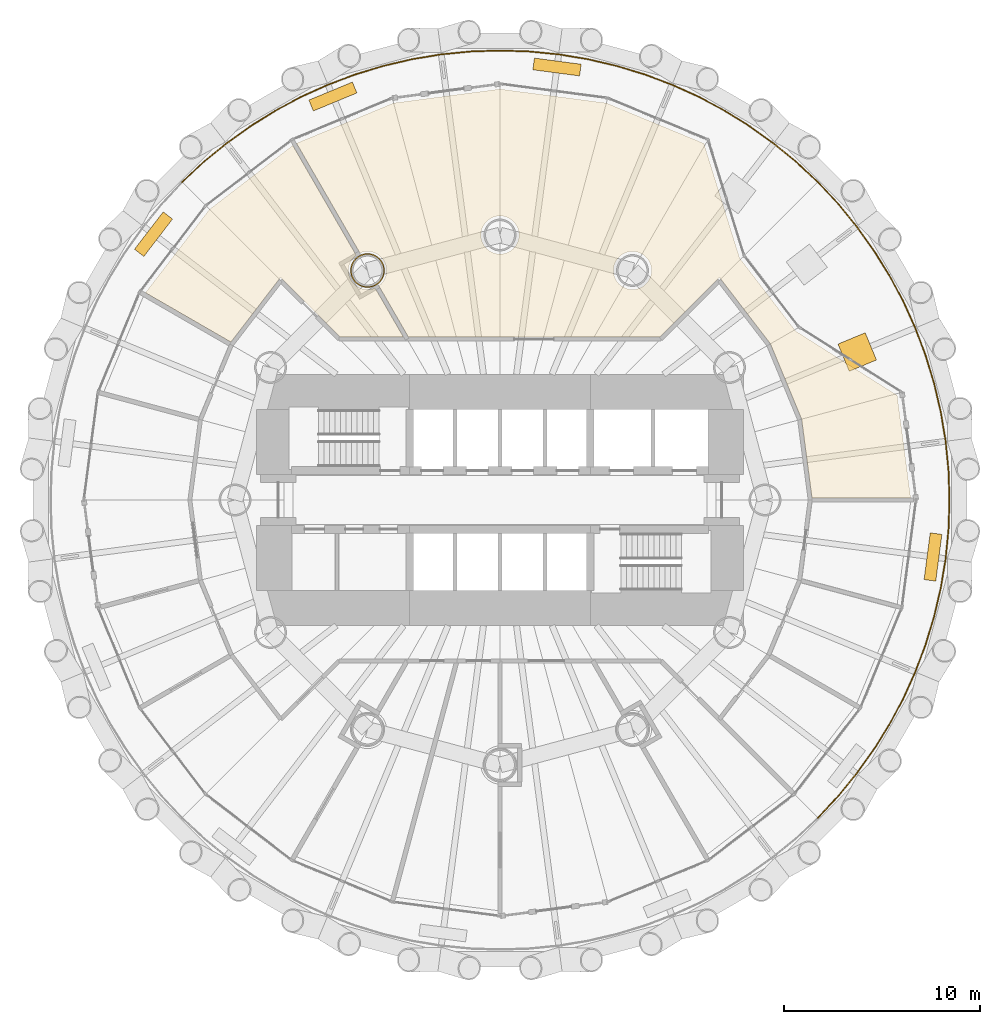
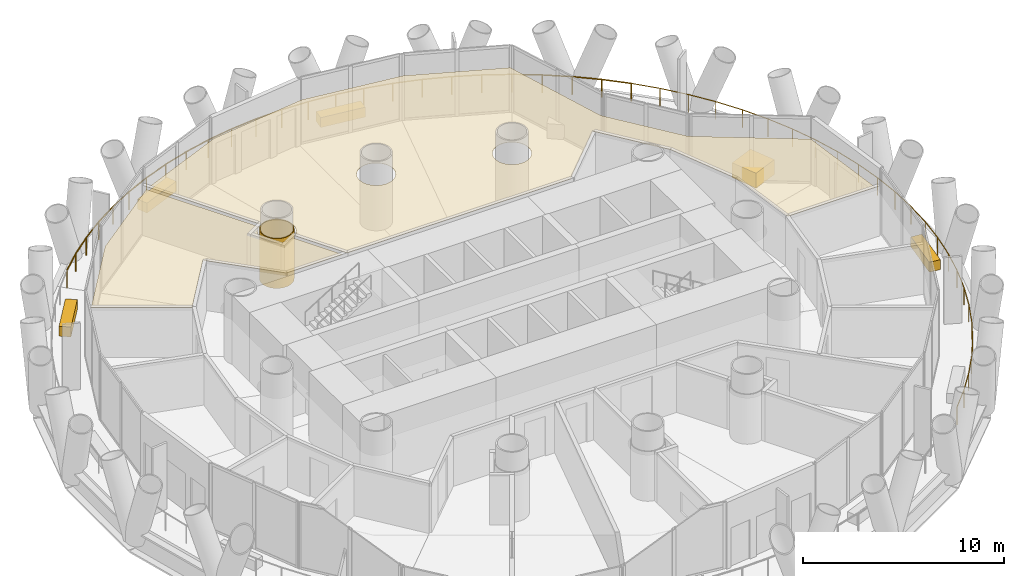
# One storey, part 14 of 15: 8 coverings, 2 railings.
"""IFC4 building model written with IfcOpenShell, lengths in metres."""

from ifc_helpers import new_model, si_unit, direction, frame, origin, origin_2d, place, context, subcontext, project, spatial, polyline, rectangle, circle, outline, extrude, material, layer, layer_set, type_object, element, save


model = new_model("IFC4")

# Units and contexts
model_context = context("Model", 3, precision=1e-05, world=origin(), true_north=direction((0.0, 1.0)))
body_context = subcontext(model_context, "Body", "Model", "MODEL_VIEW")
ifc_project = project(units=[si_unit("LENGTHUNIT", "METRE"), si_unit("AREAUNIT", "SQUARE_METRE"), si_unit("VOLUMEUNIT", "CUBIC_METRE"), si_unit("PLANEANGLEUNIT", "RADIAN"), si_unit("MASSUNIT", "GRAM", prefix="KILO")], contexts=[model_context])

# Site, building, storey
site_placement = place(None, origin())
site = spatial("IfcSite", under=ifc_project, at=site_placement, CompositionType="ELEMENT")
building_placement = place(site_placement, origin())
building = spatial("IfcBuilding", under=site, at=building_placement, Name="Qaws Media Tower", CompositionType="ELEMENT")
storey_placement = place(building_placement, frame((0.0, 0.0, 34.39990234375)))
storey = spatial("IfcBuildingStorey", under=building, at=storey_placement, Name="L06", CompositionType="ELEMENT", Elevation=34.39990234375)

# Railings
ifc_material_1 = material(Name="Stainless steel and glass guard", Category="steel")
railing_type = type_object("IfcRailingType", Name="Balcony guard 1100", PredefinedType="GUARDRAIL", material=ifc_material_1)
railing_1_placement = place(storey_placement, frame((76.192626953125, 66.192626953125, 0.0)))
element("IfcRailing", 1, at=railing_1_placement, inside=storey, type_object=railing_type, Name="GR1 balcony guard L06-1", PredefinedType="GUARDRAIL", context=body_context, shape_type="SweptSolid", body=[
    extrude(circle(Radius=0.02392578125, at=origin_2d()), frame((0.0, 0.0, 1.076171875), z_axis=(-0.729786131412, 0.683675509579, 0.0), x_axis=(-0.683675509579, -0.729786131412, 0.0)), (0.0, 0.0, 1.0), 1.498291015625),
    extrude(circle(Radius=0.02392578125, at=origin_2d()), frame((-1.093505859375, 1.0244140625, 1.076171875), z_axis=(-0.773020109112, 0.634381518416, 0.0), x_axis=(-0.634381518416, -0.773020109112, 0.0)), (0.0, 0.0, 1.0), 1.49853515625),
    extrude(circle(Radius=0.02392578125, at=origin_2d()), frame((-2.251953125, 1.97509765625, 1.076171875), z_axis=(-0.812774700378, 0.582578137613, 0.0), x_axis=(-0.582578137613, -0.812774700378, 0.0)), (0.0, 0.0, 1.0), 1.49853515625),
    extrude(circle(Radius=0.02392578125, at=origin_2d()), frame((-3.469970703125, 2.84814453125, 1.076171875), z_axis=(-0.84924978873, 0.527991284342, 0.0), x_axis=(-0.527991284342, -0.84924978873, 0.0)), (0.0, 0.0, 1.0), 1.49853515625),
    extrude(circle(Radius=0.02392578125, at=origin_2d()), frame((-4.74267578125, 3.639404296875, 1.076171875), z_axis=(-0.881942178876, 0.471357606408, 0.0), x_axis=(-0.471357606408, -0.881942178876, 0.0)), (0.0, 0.0, 1.0), 1.49853515625),
    extrude(circle(Radius=0.02392578125, at=origin_2d()), frame((-6.064208984375, 4.345703125, 1.076171875), z_axis=(-0.910879082902, 0.412673353066, 0.0), x_axis=(-0.412673353066, -0.910879082902, 0.0)), (0.0, 0.0, 1.0), 1.49853515625),
    extrude(circle(Radius=0.02392578125, at=origin_2d()), frame((-7.42919921875, 4.964111328125, 1.076171875), z_axis=(-0.935846213022, 0.352408662738, 0.0), x_axis=(-0.352408662738, -0.935846213022, 0.0)), (0.0, 0.0, 1.0), 1.49853515625),
    extrude(circle(Radius=0.02392578125, at=origin_2d()), frame((-8.83154296875, 5.4921875, 1.076171875), z_axis=(-0.956979175917, 0.290156607475, 0.0), x_axis=(-0.290156607475, -0.956979175917, 0.0)), (0.0, 0.0, 1.0), 1.49853515625),
    extrude(circle(Radius=0.02392578125, at=origin_2d()), frame((-10.265625, 5.927001953125, 1.076171875), z_axis=(-0.973872443437, 0.227095715315, 0.0), x_axis=(-0.227095715315, -0.973872443437, 0.0)), (0.0, 0.0, 1.0), 1.49853515625),
    extrude(circle(Radius=0.02392578125, at=origin_2d()), frame((-11.72509765625, 6.267333984375, 1.076171875), z_axis=(-0.98663939489, 0.162919318839, 0.0), x_axis=(-0.162919318839, -0.98663939489, 0.0)), (0.0, 0.0, 1.0), 1.49853515625),
    extrude(circle(Radius=0.02392578125, at=origin_2d()), frame((-13.20361328125, 6.511474609375, 1.076171875), z_axis=(-0.995178136619, 0.098084027218, 0.0), x_axis=(-0.098084027218, -0.995178136619, 0.0)), (0.0, 0.0, 1.0), 1.49853515625),
    extrude(circle(Radius=0.02392578125, at=origin_2d()), frame((-14.69482421875, 6.658447265625, 1.076171875), z_axis=(-0.999469048478, 0.032582528068, 0.0), x_axis=(-0.032582528068, -0.999469048478, 0.0)), (0.0, 0.0, 1.0), 1.49853515625),
    extrude(circle(Radius=0.02392578125, at=origin_2d()), frame((-16.192626953125, 6.707275390625, 1.076171875), z_axis=(-0.999469048478, -0.032582528068, 0.0), x_axis=(0.032582528068, -0.999469048478, 0.0)), (0.0, 0.0, 1.0), 1.49853515625),
    extrude(circle(Radius=0.02392578125, at=origin_2d()), frame((-17.6904296875, 6.658447265625, 1.076171875), z_axis=(-0.995178136619, -0.098084027218, 0.0), x_axis=(0.098084027218, -0.995178136619, 0.0)), (0.0, 0.0, 1.0), 1.49853515625),
    extrude(circle(Radius=0.02392578125, at=origin_2d()), frame((-19.181640625, 6.511474609375, 1.076171875), z_axis=(-0.98663939489, -0.162919318839, 0.0), x_axis=(0.162919318839, -0.98663939489, 0.0)), (0.0, 0.0, 1.0), 1.49853515625),
    extrude(circle(Radius=0.02392578125, at=origin_2d()), frame((-20.66015625, 6.267333984375, 1.076171875), z_axis=(-0.973872443437, -0.227095715315, 0.0), x_axis=(0.227095715315, -0.973872443437, 0.0)), (0.0, 0.0, 1.0), 1.49853515625),
    extrude(circle(Radius=0.02392578125, at=origin_2d()), frame((-22.11962890625, 5.927001953125, 1.076171875), z_axis=(-0.956979175917, -0.290156607475, 0.0), x_axis=(0.290156607475, -0.956979175917, 0.0)), (0.0, 0.0, 1.0), 1.49853515625),
    extrude(circle(Radius=0.02392578125, at=origin_2d()), frame((-23.5537109375, 5.4921875, 1.076171875), z_axis=(-0.935846213022, -0.352408662738, 0.0), x_axis=(0.352408662738, -0.935846213022, 0.0)), (0.0, 0.0, 1.0), 1.49853515625),
    extrude(circle(Radius=0.02392578125, at=origin_2d()), frame((-24.9560546875, 4.964111328125, 1.076171875), z_axis=(-0.910879082902, -0.412673353066, 0.0), x_axis=(0.412673353066, -0.910879082902, 0.0)), (0.0, 0.0, 1.0), 1.49853515625),
    extrude(circle(Radius=0.02392578125, at=origin_2d()), frame((-26.321044921875, 4.345703125, 1.076171875), z_axis=(-0.881942178876, -0.471357606408, 0.0), x_axis=(0.471357606408, -0.881942178876, 0.0)), (0.0, 0.0, 1.0), 1.49853515625),
    extrude(circle(Radius=0.02392578125, at=origin_2d()), frame((-27.642578125, 3.639404296875, 1.076171875), z_axis=(-0.84924978873, -0.527991284342, 0.0), x_axis=(0.527991284342, -0.84924978873, 0.0)), (0.0, 0.0, 1.0), 1.49853515625),
    extrude(circle(Radius=0.02392578125, at=origin_2d()), frame((-28.915283203125, 2.84814453125, 1.076171875), z_axis=(-0.812774700378, -0.582578137613, 0.0), x_axis=(0.582578137613, -0.812774700378, 0.0)), (0.0, 0.0, 1.0), 1.49853515625),
    extrude(circle(Radius=0.02392578125, at=origin_2d()), frame((-30.13330078125, 1.97509765625, 1.076171875), z_axis=(-0.773020109112, -0.634381518416, 0.0), x_axis=(0.634381518416, -0.773020109112, 0.0)), (0.0, 0.0, 1.0), 1.49853515625),
    extrude(circle(Radius=0.02392578125, at=origin_2d()), frame((-31.291748046875, 1.0244140625, 1.076171875), z_axis=(-0.729786131412, -0.683675509579, 0.0), x_axis=(0.683675509579, -0.729786131412, 0.0)), (0.0, 0.0, 1.0), 1.498291015625),
    extrude(circle(Radius=0.02099609375, at=origin_2d()), origin(), (0.0, 0.0, 1.0), 1.052001953125),
    extrude(circle(Radius=0.02099609375, at=origin_2d()), frame((-1.093505859375, 1.0244140625, 0.0)), (0.0, 0.0, 1.0), 1.052001953125),
    extrude(circle(Radius=0.02099609375, at=origin_2d()), frame((-2.251953125, 1.97509765625, 0.0)), (0.0, 0.0, 1.0), 1.052001953125),
    extrude(circle(Radius=0.02099609375, at=origin_2d()), frame((-3.469970703125, 2.84814453125, 0.0)), (0.0, 0.0, 1.0), 1.052001953125),
    extrude(circle(Radius=0.02099609375, at=origin_2d()), frame((-4.74267578125, 3.639404296875, 0.0)), (0.0, 0.0, 1.0), 1.052001953125),
    extrude(circle(Radius=0.02099609375, at=origin_2d()), frame((-6.064208984375, 4.345703125, 0.0)), (0.0, 0.0, 1.0), 1.052001953125),
    extrude(circle(Radius=0.02099609375, at=origin_2d()), frame((-7.42919921875, 4.964111328125, 0.0)), (0.0, 0.0, 1.0), 1.052001953125),
    extrude(circle(Radius=0.02099609375, at=origin_2d()), frame((-8.83154296875, 5.4921875, 0.0)), (0.0, 0.0, 1.0), 1.052001953125),
    extrude(circle(Radius=0.02099609375, at=origin_2d()), frame((-10.265625, 5.927001953125, 0.0)), (0.0, 0.0, 1.0), 1.052001953125),
    extrude(circle(Radius=0.02099609375, at=origin_2d()), frame((-11.72509765625, 6.267333984375, 0.0)), (0.0, 0.0, 1.0), 1.052001953125),
    extrude(circle(Radius=0.02099609375, at=origin_2d()), frame((-13.20361328125, 6.511474609375, 0.0)), (0.0, 0.0, 1.0), 1.052001953125),
    extrude(circle(Radius=0.02099609375, at=origin_2d()), frame((-14.69482421875, 6.658447265625, 0.0)), (0.0, 0.0, 1.0), 1.052001953125),
    extrude(circle(Radius=0.02099609375, at=origin_2d()), frame((-16.192626953125, 6.707275390625, 0.0)), (0.0, 0.0, 1.0), 1.052001953125),
    extrude(circle(Radius=0.02099609375, at=origin_2d()), frame((-17.6904296875, 6.658447265625, 0.0)), (0.0, 0.0, 1.0), 1.052001953125),
    extrude(circle(Radius=0.02099609375, at=origin_2d()), frame((-19.181640625, 6.511474609375, 0.0)), (0.0, 0.0, 1.0), 1.052001953125),
    extrude(circle(Radius=0.02099609375, at=origin_2d()), frame((-20.66015625, 6.267333984375, 0.0)), (0.0, 0.0, 1.0), 1.052001953125),
    extrude(circle(Radius=0.02099609375, at=origin_2d()), frame((-22.11962890625, 5.927001953125, 0.0)), (0.0, 0.0, 1.0), 1.052001953125),
    extrude(circle(Radius=0.02099609375, at=origin_2d()), frame((-23.5537109375, 5.4921875, 0.0)), (0.0, 0.0, 1.0), 1.052001953125),
    extrude(circle(Radius=0.02099609375, at=origin_2d()), frame((-24.9560546875, 4.964111328125, 0.0)), (0.0, 0.0, 1.0), 1.052001953125),
    extrude(circle(Radius=0.02099609375, at=origin_2d()), frame((-26.321044921875, 4.345703125, 0.0)), (0.0, 0.0, 1.0), 1.052001953125),
    extrude(circle(Radius=0.02099609375, at=origin_2d()), frame((-27.642578125, 3.639404296875, 0.0)), (0.0, 0.0, 1.0), 1.052001953125),
    extrude(circle(Radius=0.02099609375, at=origin_2d()), frame((-28.915283203125, 2.84814453125, 0.0)), (0.0, 0.0, 1.0), 1.052001953125),
    extrude(circle(Radius=0.02099609375, at=origin_2d()), frame((-30.13330078125, 1.97509765625, 0.0)), (0.0, 0.0, 1.0), 1.052001953125),
    extrude(circle(Radius=0.02099609375, at=origin_2d()), frame((-31.291748046875, 1.0244140625, 0.0)), (0.0, 0.0, 1.0), 1.052001953125),
    extrude(circle(Radius=0.02099609375, at=origin_2d()), frame((-32.38525390625, 0.0, 0.0)), (0.0, 0.0, 1.0), 1.052001953125),
])
railing_2_placement = place(storey_placement, frame((76.192626953125, 33.807373046875, 0.0)))
element("IfcRailing", 2, at=railing_2_placement, inside=storey, type_object=railing_type, Name="GR1 balcony guard L06-4", PredefinedType="GUARDRAIL", context=body_context, shape_type="SweptSolid", body=[
    extrude(circle(Radius=0.02392578125, at=origin_2d()), frame((0.0, 0.0, 1.076171875), z_axis=(0.683675509579, 0.729786131412, 0.0), x_axis=(-0.729786131412, 0.683675509579, 0.0)), (0.0, 0.0, 1.0), 1.498291015625),
    extrude(circle(Radius=0.02392578125, at=origin_2d()), frame((1.0244140625, 1.093505859375, 1.076171875), z_axis=(0.634381518416, 0.773020109112, 0.0), x_axis=(-0.773020109112, 0.634381518416, 0.0)), (0.0, 0.0, 1.0), 1.49853515625),
    extrude(circle(Radius=0.02392578125, at=origin_2d()), frame((1.97509765625, 2.251953125, 1.076171875), z_axis=(0.582578137613, 0.812774700378, 0.0), x_axis=(-0.812774700378, 0.582578137613, 0.0)), (0.0, 0.0, 1.0), 1.49853515625),
    extrude(circle(Radius=0.02392578125, at=origin_2d()), frame((2.84814453125, 3.469970703125, 1.076171875), z_axis=(0.527991284342, 0.84924978873, 0.0), x_axis=(-0.84924978873, 0.527991284342, 0.0)), (0.0, 0.0, 1.0), 1.49853515625),
    extrude(circle(Radius=0.02392578125, at=origin_2d()), frame((3.639404296875, 4.74267578125, 1.076171875), z_axis=(0.471357606408, 0.881942178876, 0.0), x_axis=(-0.881942178876, 0.471357606408, 0.0)), (0.0, 0.0, 1.0), 1.49853515625),
    extrude(circle(Radius=0.02392578125, at=origin_2d()), frame((4.345703125, 6.064208984375, 1.076171875), z_axis=(0.412673353066, 0.910879082902, 0.0), x_axis=(-0.910879082902, 0.412673353066, 0.0)), (0.0, 0.0, 1.0), 1.49853515625),
    extrude(circle(Radius=0.02392578125, at=origin_2d()), frame((4.964111328125, 7.42919921875, 1.076171875), z_axis=(0.352408662738, 0.935846213022, 0.0), x_axis=(-0.935846213022, 0.352408662738, 0.0)), (0.0, 0.0, 1.0), 1.49853515625),
    extrude(circle(Radius=0.02392578125, at=origin_2d()), frame((5.4921875, 8.83154296875, 1.076171875), z_axis=(0.290156607475, 0.956979175917, 0.0), x_axis=(-0.956979175917, 0.290156607475, 0.0)), (0.0, 0.0, 1.0), 1.49853515625),
    extrude(circle(Radius=0.02392578125, at=origin_2d()), frame((5.927001953125, 10.265625, 1.076171875), z_axis=(0.227095715315, 0.973872443437, 0.0), x_axis=(-0.973872443437, 0.227095715315, 0.0)), (0.0, 0.0, 1.0), 1.49853515625),
    extrude(circle(Radius=0.02392578125, at=origin_2d()), frame((6.267333984375, 11.72509765625, 1.076171875), z_axis=(0.162919318839, 0.98663939489, 0.0), x_axis=(-0.98663939489, 0.162919318839, 0.0)), (0.0, 0.0, 1.0), 1.49853515625),
    extrude(circle(Radius=0.02392578125, at=origin_2d()), frame((6.511474609375, 13.20361328125, 1.076171875), z_axis=(0.098084027218, 0.995178136619, 0.0), x_axis=(-0.995178136619, 0.098084027218, 0.0)), (0.0, 0.0, 1.0), 1.49853515625),
    extrude(circle(Radius=0.02392578125, at=origin_2d()), frame((6.658447265625, 14.69482421875, 1.076171875), z_axis=(0.032582528068, 0.999469048478, 0.0), x_axis=(-0.999469048478, 0.032582528068, 0.0)), (0.0, 0.0, 1.0), 1.49853515625),
    extrude(circle(Radius=0.02392578125, at=origin_2d()), frame((6.707275390625, 16.192626953125, 1.076171875), z_axis=(-0.032582528068, 0.999469048478, 0.0), x_axis=(-0.999469048478, -0.032582528068, 0.0)), (0.0, 0.0, 1.0), 1.49853515625),
    extrude(circle(Radius=0.02392578125, at=origin_2d()), frame((6.658447265625, 17.6904296875, 1.076171875), z_axis=(-0.098084027218, 0.995178136619, 0.0), x_axis=(-0.995178136619, -0.098084027218, 0.0)), (0.0, 0.0, 1.0), 1.49853515625),
    extrude(circle(Radius=0.02392578125, at=origin_2d()), frame((6.511474609375, 19.181640625, 1.076171875), z_axis=(-0.162919318839, 0.98663939489, 0.0), x_axis=(-0.98663939489, -0.162919318839, 0.0)), (0.0, 0.0, 1.0), 1.49853515625),
    extrude(circle(Radius=0.02392578125, at=origin_2d()), frame((6.267333984375, 20.66015625, 1.076171875), z_axis=(-0.227095715315, 0.973872443437, 0.0), x_axis=(-0.973872443437, -0.227095715315, 0.0)), (0.0, 0.0, 1.0), 1.49853515625),
    extrude(circle(Radius=0.02392578125, at=origin_2d()), frame((5.927001953125, 22.11962890625, 1.076171875), z_axis=(-0.290156607475, 0.956979175917, 0.0), x_axis=(-0.956979175917, -0.290156607475, 0.0)), (0.0, 0.0, 1.0), 1.49853515625),
    extrude(circle(Radius=0.02392578125, at=origin_2d()), frame((5.4921875, 23.5537109375, 1.076171875), z_axis=(-0.352408662738, 0.935846213022, 0.0), x_axis=(-0.935846213022, -0.352408662738, 0.0)), (0.0, 0.0, 1.0), 1.49853515625),
    extrude(circle(Radius=0.02392578125, at=origin_2d()), frame((4.964111328125, 24.9560546875, 1.076171875), z_axis=(-0.412673353066, 0.910879082902, 0.0), x_axis=(-0.910879082902, -0.412673353066, 0.0)), (0.0, 0.0, 1.0), 1.49853515625),
    extrude(circle(Radius=0.02392578125, at=origin_2d()), frame((4.345703125, 26.321044921875, 1.076171875), z_axis=(-0.471357606408, 0.881942178876, 0.0), x_axis=(-0.881942178876, -0.471357606408, 0.0)), (0.0, 0.0, 1.0), 1.49853515625),
    extrude(circle(Radius=0.02392578125, at=origin_2d()), frame((3.639404296875, 27.642578125, 1.076171875), z_axis=(-0.527991284342, 0.84924978873, 0.0), x_axis=(-0.84924978873, -0.527991284342, 0.0)), (0.0, 0.0, 1.0), 1.49853515625),
    extrude(circle(Radius=0.02392578125, at=origin_2d()), frame((2.84814453125, 28.915283203125, 1.076171875), z_axis=(-0.582578137613, 0.812774700378, 0.0), x_axis=(-0.812774700378, -0.582578137613, 0.0)), (0.0, 0.0, 1.0), 1.49853515625),
    extrude(circle(Radius=0.02392578125, at=origin_2d()), frame((1.97509765625, 30.13330078125, 1.076171875), z_axis=(-0.634381518416, 0.773020109112, 0.0), x_axis=(-0.773020109112, -0.634381518416, 0.0)), (0.0, 0.0, 1.0), 1.49853515625),
    extrude(circle(Radius=0.02392578125, at=origin_2d()), frame((1.0244140625, 31.291748046875, 1.076171875), z_axis=(-0.683675509579, 0.729786131412, 0.0), x_axis=(-0.729786131412, -0.683675509579, 0.0)), (0.0, 0.0, 1.0), 1.498291015625),
    extrude(circle(Radius=0.02099609375, at=origin_2d()), origin(), (0.0, 0.0, 1.0), 1.052001953125),
    extrude(circle(Radius=0.02099609375, at=origin_2d()), frame((1.0244140625, 1.093505859375, 0.0)), (0.0, 0.0, 1.0), 1.052001953125),
    extrude(circle(Radius=0.02099609375, at=origin_2d()), frame((1.97509765625, 2.251953125, 0.0)), (0.0, 0.0, 1.0), 1.052001953125),
    extrude(circle(Radius=0.02099609375, at=origin_2d()), frame((2.84814453125, 3.469970703125, 0.0)), (0.0, 0.0, 1.0), 1.052001953125),
    extrude(circle(Radius=0.02099609375, at=origin_2d()), frame((3.639404296875, 4.74267578125, 0.0)), (0.0, 0.0, 1.0), 1.052001953125),
    extrude(circle(Radius=0.02099609375, at=origin_2d()), frame((4.345703125, 6.064208984375, 0.0)), (0.0, 0.0, 1.0), 1.052001953125),
    extrude(circle(Radius=0.02099609375, at=origin_2d()), frame((4.964111328125, 7.42919921875, 0.0)), (0.0, 0.0, 1.0), 1.052001953125),
    extrude(circle(Radius=0.02099609375, at=origin_2d()), frame((5.4921875, 8.83154296875, 0.0)), (0.0, 0.0, 1.0), 1.052001953125),
    extrude(circle(Radius=0.02099609375, at=origin_2d()), frame((5.927001953125, 10.265625, 0.0)), (0.0, 0.0, 1.0), 1.052001953125),
    extrude(circle(Radius=0.02099609375, at=origin_2d()), frame((6.267333984375, 11.72509765625, 0.0)), (0.0, 0.0, 1.0), 1.052001953125),
    extrude(circle(Radius=0.02099609375, at=origin_2d()), frame((6.511474609375, 13.20361328125, 0.0)), (0.0, 0.0, 1.0), 1.052001953125),
    extrude(circle(Radius=0.02099609375, at=origin_2d()), frame((6.658447265625, 14.69482421875, 0.0)), (0.0, 0.0, 1.0), 1.052001953125),
    extrude(circle(Radius=0.02099609375, at=origin_2d()), frame((6.707275390625, 16.192626953125, 0.0)), (0.0, 0.0, 1.0), 1.052001953125),
    extrude(circle(Radius=0.02099609375, at=origin_2d()), frame((6.658447265625, 17.6904296875, 0.0)), (0.0, 0.0, 1.0), 1.052001953125),
    extrude(circle(Radius=0.02099609375, at=origin_2d()), frame((6.511474609375, 19.181640625, 0.0)), (0.0, 0.0, 1.0), 1.052001953125),
    extrude(circle(Radius=0.02099609375, at=origin_2d()), frame((6.267333984375, 20.66015625, 0.0)), (0.0, 0.0, 1.0), 1.052001953125),
    extrude(circle(Radius=0.02099609375, at=origin_2d()), frame((5.927001953125, 22.11962890625, 0.0)), (0.0, 0.0, 1.0), 1.052001953125),
    extrude(circle(Radius=0.02099609375, at=origin_2d()), frame((5.4921875, 23.5537109375, 0.0)), (0.0, 0.0, 1.0), 1.052001953125),
    extrude(circle(Radius=0.02099609375, at=origin_2d()), frame((4.964111328125, 24.9560546875, 0.0)), (0.0, 0.0, 1.0), 1.052001953125),
    extrude(circle(Radius=0.02099609375, at=origin_2d()), frame((4.345703125, 26.321044921875, 0.0)), (0.0, 0.0, 1.0), 1.052001953125),
    extrude(circle(Radius=0.02099609375, at=origin_2d()), frame((3.639404296875, 27.642578125, 0.0)), (0.0, 0.0, 1.0), 1.052001953125),
    extrude(circle(Radius=0.02099609375, at=origin_2d()), frame((2.84814453125, 28.915283203125, 0.0)), (0.0, 0.0, 1.0), 1.052001953125),
    extrude(circle(Radius=0.02099609375, at=origin_2d()), frame((1.97509765625, 30.13330078125, 0.0)), (0.0, 0.0, 1.0), 1.052001953125),
    extrude(circle(Radius=0.02099609375, at=origin_2d()), frame((1.0244140625, 31.291748046875, 0.0)), (0.0, 0.0, 1.0), 1.052001953125),
    extrude(circle(Radius=0.02099609375, at=origin_2d()), frame((0.0, 32.38525390625, 0.0)), (0.0, 0.0, 1.0), 1.052001953125),
])

# Coverings
ifc_material_2 = material(Name="Two layers 15 fire-rated gypsum board on steel framing", Category="steel")
ifc_layer_1 = layer(ifc_material_2, 0.050048828125)
ifc_layer_set_1 = layer_set([ifc_layer_1], Name="Column fire casing")
covering_type_1 = type_object("IfcCoveringType", Name="Column fire casing", PredefinedType="CLADDING", material=ifc_layer_set_1)
covering_1_placement = place(storey_placement, origin())
element("IfcCovering", 3, at=covering_1_placement, inside=storey, type_object=covering_type_1, Name="CC1 column casing L06", PredefinedType="CLADDING", context=body_context, shape_type="SweptSolid", body=[
    extrude(outline(polyline([(54.117919921875, 61.69140625), (54.110595703125, 61.577880859375), (54.08837890625, 61.466796875), (54.052001953125, 61.359130859375), (54.001708984375, 61.25732421875), (53.938720703125, 61.162841796875), (53.86376953125, 61.07763671875), (53.7783203125, 61.002685546875), (53.68408203125, 60.939697265625), (53.582275390625, 60.889404296875), (53.474609375, 60.852783203125), (53.36328125, 60.830810546875), (53.25, 60.8232421875), (53.13671875, 60.830810546875), (53.025390625, 60.852783203125), (52.917724609375, 60.889404296875), (52.81591796875, 60.939697265625), (52.7216796875, 61.002685546875), (52.63623046875, 61.07763671875), (52.561279296875, 61.162841796875), (52.498291015625, 61.25732421875), (52.447998046875, 61.359130859375), (52.41162109375, 61.466796875), (52.389404296875, 61.577880859375), (52.382080078125, 61.69140625), (52.389404296875, 61.8046875), (52.41162109375, 61.916015625), (52.447998046875, 62.0234375), (52.498291015625, 62.125244140625), (52.561279296875, 62.2197265625), (52.63623046875, 62.30517578125), (52.7216796875, 62.3798828125), (52.81591796875, 62.443115234375), (52.917724609375, 62.493408203125), (53.025390625, 62.52978515625), (53.13671875, 62.552001953125), (53.25, 62.559326171875), (53.36328125, 62.552001953125), (53.474609375, 62.52978515625), (53.582275390625, 62.493408203125), (53.68408203125, 62.443115234375), (53.7783203125, 62.3798828125), (53.86376953125, 62.30517578125), (53.938720703125, 62.2197265625), (54.001708984375, 62.125244140625), (54.052001953125, 62.0234375), (54.08837890625, 61.916015625), (54.110595703125, 61.8046875), (54.117919921875, 61.69140625)]), holes=[polyline([(54.06591796875, 61.69140625), (54.05908203125, 61.584716796875), (54.0380859375, 61.47998046875), (54.00390625, 61.379150390625), (53.956787109375, 61.283203125), (53.8974609375, 61.194580078125), (53.826904296875, 61.1142578125), (53.74658203125, 61.0439453125), (53.657958984375, 60.984619140625), (53.562255859375, 60.9375), (53.461181640625, 60.903076171875), (53.3564453125, 60.88232421875), (53.25, 60.875244140625), (53.1435546875, 60.88232421875), (53.038818359375, 60.903076171875), (52.937744140625, 60.9375), (52.842041015625, 60.984619140625), (52.75341796875, 61.0439453125), (52.673095703125, 61.1142578125), (52.6025390625, 61.194580078125), (52.543212890625, 61.283203125), (52.49609375, 61.379150390625), (52.4619140625, 61.47998046875), (52.44091796875, 61.584716796875), (52.43408203125, 61.69140625), (52.44091796875, 61.7978515625), (52.4619140625, 61.902587890625), (52.49609375, 62.003662109375), (52.543212890625, 62.099365234375), (52.6025390625, 62.18798828125), (52.673095703125, 62.268310546875), (52.75341796875, 62.338623046875), (52.842041015625, 62.39794921875), (52.937744140625, 62.4453125), (53.038818359375, 62.4794921875), (53.1435546875, 62.50048828125), (53.25, 62.50732421875), (53.3564453125, 62.50048828125), (53.461181640625, 62.4794921875), (53.562255859375, 62.4453125), (53.657958984375, 62.39794921875), (53.74658203125, 62.338623046875), (53.826904296875, 62.268310546875), (53.8974609375, 62.18798828125), (53.956787109375, 62.099365234375), (54.00390625, 62.003662109375), (54.0380859375, 61.902587890625), (54.05908203125, 61.7978515625), (54.06591796875, 61.69140625)])]), origin(), (0.0, 0.0, 1.0), 3.02001953125),
])
ifc_material_3 = material(Name="600 x 600 mineral fibre tiles in exposed grid, suspended", Category="mineral fibre")
ifc_layer_2 = layer(ifc_material_3, 0.02001953125)
ifc_layer_set_2 = layer_set([ifc_layer_2], Name="Mineral fibre tile ceiling 20")
covering_type_2 = type_object("IfcCoveringType", Name="Mineral fibre tile ceiling 20", PredefinedType="CEILING", material=ifc_layer_set_2)
covering_2_placement = place(storey_placement, frame((0.0, 0.0, 2.85009765625)))
element("IfcCovering", 4, at=covering_2_placement, inside=storey, type_object=covering_type_2, Name="CL1 ceiling L06-02 Production office", PredefinedType="CEILING", context=body_context, shape_type="SweptSolid", body=[
    extrude(outline(polyline([(54.58154296875, 70.221923828125), (60.0, 70.935302734375), (65.41845703125, 70.221923828125), (70.385986328125, 68.164306640625), (72.20849609375, 62.322265625), (75.062255859375, 58.603271484375), (80.2333984375, 55.330810546875), (80.92041015625, 50.112548828125), (75.898681640625, 50.112548828125), (75.37109375, 54.11865234375), (73.781494140625, 57.956787109375), (71.183349609375, 61.342529296875), (68.1533203125, 58.3125), (55.330810546875, 58.3125), (53.830322265625, 60.911376953125), (53.84228515625, 60.91943359375), (53.93798828125, 61.00341796875), (54.02197265625, 61.09912109375), (54.092529296875, 61.204833984375), (54.14892578125, 61.319091796875), (54.189697265625, 61.439453125), (54.214599609375, 61.564208984375), (54.222900390625, 61.69140625), (54.214599609375, 61.818359375), (54.189697265625, 61.943115234375), (54.14892578125, 62.063720703125), (54.092529296875, 62.177734375), (54.02197265625, 62.28369140625), (53.93798828125, 62.37939453125), (53.84228515625, 62.46337890625), (53.736572265625, 62.533935546875), (53.622314453125, 62.59033203125), (53.501708984375, 62.631103515625), (53.376953125, 62.656005859375), (53.25, 62.664306640625), (53.123046875, 62.656005859375), (52.998291015625, 62.631103515625), (52.877685546875, 62.59033203125), (52.864501953125, 62.583984375), (49.63720703125, 68.173828125), (54.58154296875, 70.221923828125)]), holes=[polyline([(60.89892578125, 63.127685546875), (60.939697265625, 63.248291015625), (60.964599609375, 63.373046875), (60.972900390625, 63.5), (60.964599609375, 63.626953125), (60.939697265625, 63.751708984375), (60.89892578125, 63.872314453125), (60.842529296875, 63.986572265625), (60.77197265625, 64.09228515625), (60.68798828125, 64.18798828125), (60.59228515625, 64.27197265625), (60.486572265625, 64.342529296875), (60.372314453125, 64.39892578125), (60.251708984375, 64.439697265625), (60.126953125, 64.464599609375), (60.0, 64.472900390625), (59.873046875, 64.464599609375), (59.748291015625, 64.439697265625), (59.627685546875, 64.39892578125), (59.513427734375, 64.342529296875), (59.40771484375, 64.27197265625), (59.31201171875, 64.18798828125), (59.22802734375, 64.09228515625), (59.157470703125, 63.986572265625), (59.10107421875, 63.872314453125), (59.060302734375, 63.751708984375), (59.035400390625, 63.626953125), (59.027099609375, 63.5), (59.035400390625, 63.373046875), (59.060302734375, 63.248291015625), (59.10107421875, 63.127685546875), (59.157470703125, 63.013427734375), (59.22802734375, 62.90771484375), (59.31201171875, 62.81201171875), (59.40771484375, 62.72802734375), (59.513427734375, 62.657470703125), (59.627685546875, 62.60107421875), (59.748291015625, 62.560302734375), (59.873046875, 62.535400390625), (60.0, 62.527099609375), (60.126953125, 62.535400390625), (60.251708984375, 62.560302734375), (60.372314453125, 62.60107421875), (60.486572265625, 62.657470703125), (60.59228515625, 62.72802734375), (60.68798828125, 62.81201171875), (60.77197265625, 62.90771484375), (60.842529296875, 63.013427734375), (60.89892578125, 63.127685546875)]), polyline([(67.64892578125, 61.319091796875), (67.689697265625, 61.439453125), (67.714599609375, 61.564208984375), (67.722900390625, 61.69140625), (67.714599609375, 61.818359375), (67.689697265625, 61.943115234375), (67.64892578125, 62.063720703125), (67.592529296875, 62.177734375), (67.52197265625, 62.28369140625), (67.43798828125, 62.37939453125), (67.34228515625, 62.46337890625), (67.236572265625, 62.533935546875), (67.122314453125, 62.59033203125), (67.001708984375, 62.631103515625), (66.876953125, 62.656005859375), (66.75, 62.664306640625), (66.623046875, 62.656005859375), (66.498291015625, 62.631103515625), (66.377685546875, 62.59033203125), (66.263427734375, 62.533935546875), (66.15771484375, 62.46337890625), (66.06201171875, 62.37939453125), (65.97802734375, 62.28369140625), (65.907470703125, 62.177734375), (65.85107421875, 62.063720703125), (65.810302734375, 61.943115234375), (65.785400390625, 61.818359375), (65.777099609375, 61.69140625), (65.785400390625, 61.564208984375), (65.810302734375, 61.439453125), (65.85107421875, 61.319091796875), (65.907470703125, 61.204833984375), (65.97802734375, 61.09912109375), (66.06201171875, 61.00341796875), (66.15771484375, 60.91943359375), (66.263427734375, 60.8486328125), (66.377685546875, 60.79248046875), (66.498291015625, 60.75146484375), (66.623046875, 60.726806640625), (66.75, 60.71826171875), (66.876953125, 60.726806640625), (67.001708984375, 60.75146484375), (67.122314453125, 60.79248046875), (67.236572265625, 60.8486328125), (67.34228515625, 60.91943359375), (67.43798828125, 61.00341796875), (67.52197265625, 61.09912109375), (67.592529296875, 61.204833984375), (67.64892578125, 61.319091796875)])]), origin(), (0.0, 0.0, 1.0), 0.02001953125),
])
ifc_material_4 = material(Name="Precast concrete planter with trailing planting", Category="concrete")
ifc_layer_3 = layer(ifc_material_4, 0.60009765625)
ifc_layer_set_3 = layer_set([ifc_layer_3], Name="Planter 2400x600")
covering_type_3 = type_object("IfcCoveringType", Name="Planter 2400x600", PredefinedType="USERDEFINED", material=ifc_layer_set_3)
for number, where, z_axis, x_axis, name in (
    (5, (62.904296875, 72.0595703125, 0.0), (0.0, 0.0, 1.0), (-0.991444861374, 0.13052619222, 0.0), "PL1 balcony planter L06-03"),
    (6, (51.4853515625, 70.556396484375, 0.0), (0.0, 0.0, 1.0), (-0.923879532511, -0.382683432365, 0.0), "PL1 balcony planter L06-04"),
    (7, (42.347900390625, 63.544921875, 0.0), (0.0, 0.0, 1.0), (-0.608761429009, -0.793353340291, 0.0), "PL1 balcony planter L06-05"),
    (8, (82.0595703125, 47.095703125, 0.0), (0.0, 0.0, 1.0), (0.13052619222, 0.991444861374, 0.0), "PL1 balcony planter L06-12"),
):
    element("IfcCovering", number, at=place(storey_placement, frame(where, z_axis=z_axis, x_axis=x_axis)), inside=storey, type_object=covering_type_3, Name=name, ObjectType="PLANTER", PredefinedType="USERDEFINED", context=body_context, shape_type="SweptSolid", body=[
        extrude(rectangle(XDim=2.39990234375, YDim=0.60009765625, at=origin_2d()), origin(), (0.0, 0.0, 1.0), 0.60009765625),
    ])
ifc_material_5 = material(Name="Two layers 12.5 moisture-resistant plasterboard on suspended metal furring", Category="gypsum")
ifc_layer_4 = layer(ifc_material_5, 0.02490234375)
ifc_layer_set_4 = layer_set([ifc_layer_4], Name="Plasterboard ceiling 25")
covering_type_4 = type_object("IfcCoveringType", Name="Plasterboard ceiling 25", PredefinedType="CEILING", material=ifc_layer_set_4)
covering_3_placement = place(storey_placement, frame((0.0, 0.0, 2.85009765625)))
element("IfcCovering", 9, at=covering_3_placement, inside=storey, type_object=covering_type_4, Name="CL2 ceiling L06-03 Green room", PredefinedType="CEILING", context=body_context, shape_type="SweptSolid", body=[
    extrude(outline(polyline([(45.196533203125, 64.803466796875), (49.4423828125, 68.061279296875), (52.669921875, 62.471435546875), (52.65771484375, 62.46337890625), (52.56201171875, 62.37939453125), (52.47802734375, 62.28369140625), (52.407470703125, 62.177734375), (52.35107421875, 62.063720703125), (52.310302734375, 61.943115234375), (52.285400390625, 61.818359375), (52.277099609375, 61.69140625), (52.285400390625, 61.564208984375), (52.310302734375, 61.439453125), (52.35107421875, 61.319091796875), (52.407470703125, 61.204833984375), (52.47802734375, 61.09912109375), (52.56201171875, 61.00341796875), (52.65771484375, 60.91943359375), (52.763427734375, 60.8486328125), (52.877685546875, 60.79248046875), (52.998291015625, 60.75146484375), (53.123046875, 60.726806640625), (53.25, 60.71826171875), (53.376953125, 60.726806640625), (53.501708984375, 60.75146484375), (53.622314453125, 60.79248046875), (53.635498046875, 60.798828125), (55.07080078125, 58.3125), (51.8466796875, 58.3125), (48.816650390625, 61.342529296875), (46.28759765625, 58.046875), (41.938720703125, 60.5576171875), (45.196533203125, 64.803466796875)])), origin(), (0.0, 0.0, 1.0), 0.02490234375),
])
ifc_material_6 = material(Name="Precast concrete tree planter", Category="concrete")
ifc_layer_5 = layer(ifc_material_6, 0.89990234375)
ifc_layer_set_5 = layer_set([ifc_layer_5], Name="Tree planter 1500")
covering_type_5 = type_object("IfcCoveringType", Name="Tree planter 1500", PredefinedType="USERDEFINED", material=ifc_layer_set_5)
covering_4_placement = place(storey_placement, frame((78.200439453125, 57.538818359375, 0.000244140625), z_axis=(0.0, 0.0, 1.0), x_axis=(0.923879532511, 0.382683432365, 0.0)))
element("IfcCovering", 10, at=covering_4_placement, inside=storey, type_object=covering_type_5, Name="PL2 sky garden tree planter L06-1", ObjectType="PLANTER", PredefinedType="USERDEFINED", context=body_context, shape_type="SweptSolid", body=[
    extrude(rectangle(XDim=1.5, YDim=1.5, at=origin_2d()), origin(), (0.0, 0.0, 1.0), 0.89990234375),
])

save(model, "model.ifc")
